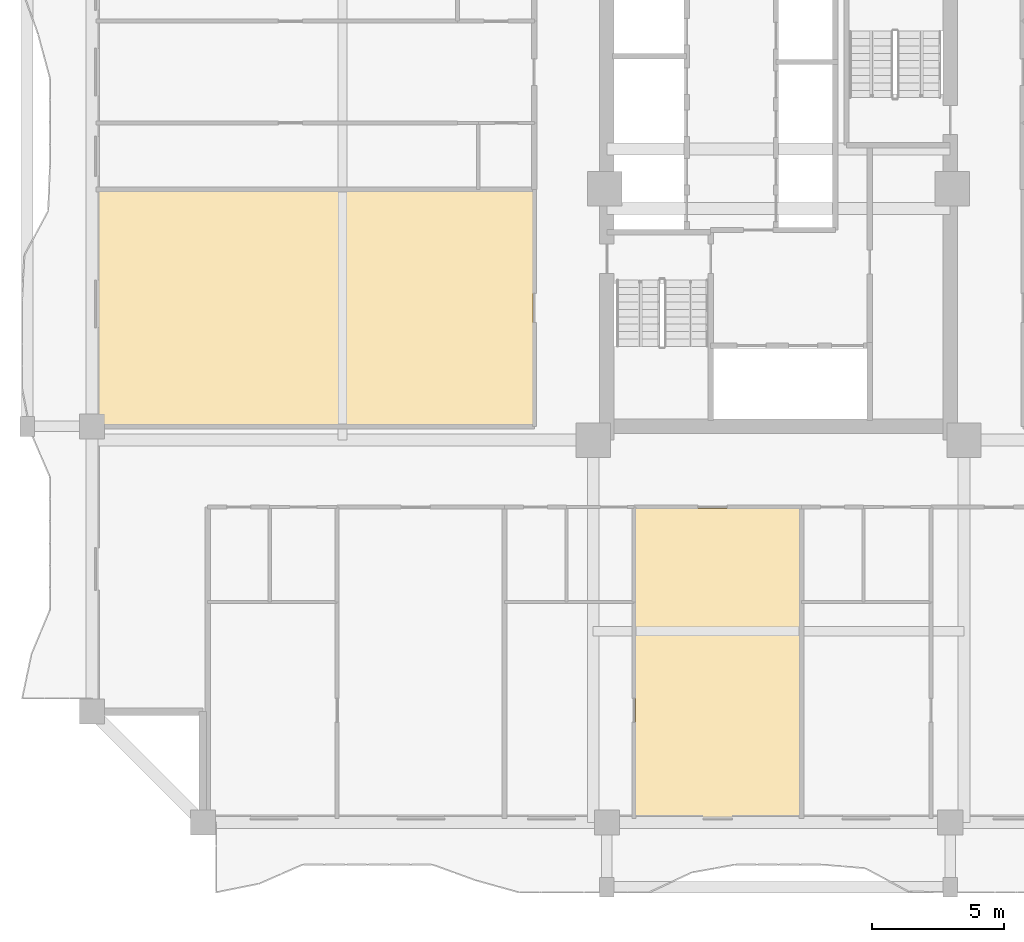
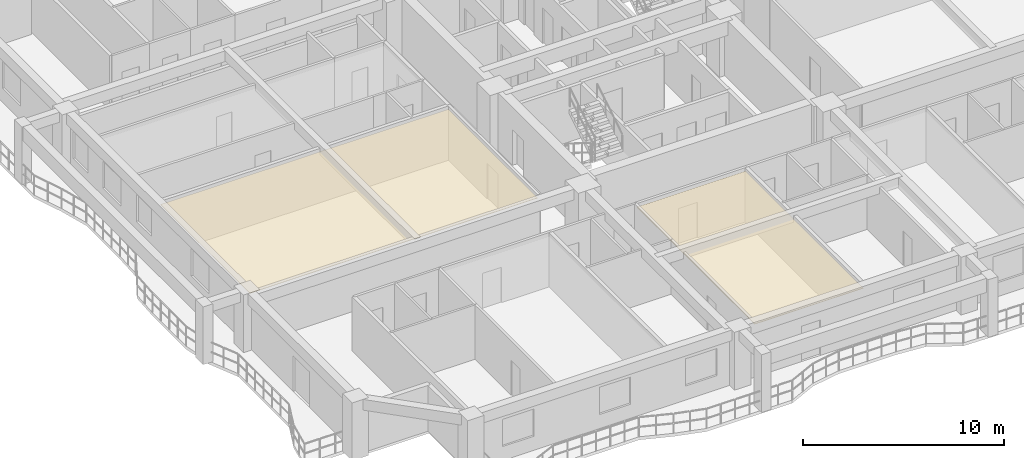
# One storey, part 11 of 17: 2 coverings.
"""IFC4 building model written with IfcOpenShell, lengths in metres."""

from ifc_helpers import new_model, si_unit, direction, frame, origin, place, context, subcontext, project, spatial, polyline, outline, extrude, material, layer, layer_set, type_object, element, save


model = new_model("IFC4")

# Units and contexts
model_context = context("Model", 3, precision=1e-05, world=origin(), true_north=direction((0.0, 1.0)))
body_context = subcontext(model_context, "Body", "Model", "MODEL_VIEW")
ifc_project = project(units=[si_unit("LENGTHUNIT", "METRE"), si_unit("AREAUNIT", "SQUARE_METRE"), si_unit("VOLUMEUNIT", "CUBIC_METRE"), si_unit("PLANEANGLEUNIT", "RADIAN"), si_unit("MASSUNIT", "GRAM", prefix="KILO")], contexts=[model_context])

# Site, building, storey
site_placement = place(None, origin())
site = spatial("IfcSite", under=ifc_project, at=site_placement, CompositionType="ELEMENT")
building_placement = place(site_placement, origin())
building = spatial("IfcBuilding", under=site, at=building_placement, Name="Saelheon Loggia Tower", CompositionType="ELEMENT")
storey_placement = place(building_placement, frame((0.0, 0.0, 74.35009765625)))
storey = spatial("IfcBuildingStorey", under=building, at=storey_placement, Name="L23", CompositionType="ELEMENT", Elevation=74.35009765625)

# Coverings
ifc_material = material(Name="Mineral-Fibre Acoustic Ceiling Board", Category="gypsum")
ifc_layer = layer(ifc_material, 0.02490234375)
ifc_layer_set = layer_set([ifc_layer], Name="Mineral-Fibre Acoustic Ceiling Board")
covering_type = type_object("IfcCoveringType", Name="Cov_Ceiling_Acoustic", PredefinedType="CEILING", material=ifc_layer_set)
covering_1_placement = place(storey_placement, frame((0.0, 0.0, 3.034912109375)))
element("IfcCovering", 1, at=covering_1_placement, inside=storey, type_object=covering_type, Name="L23 Acoustic Suspended Ceiling", PredefinedType="CEILING", context=body_context, shape_type="SweptSolid", body=[
    extrude(outline(polyline([(32.572509765625, 3.199951171875), (38.814697265625, 3.199951171875), (38.814697265625, 14.89990234375), (32.572509765625, 14.89990234375), (32.572509765625, 3.199951171875)])), origin(), (0.0, 0.0, 1.0), 0.02490234375),
])
covering_2_placement = place(storey_placement, frame((0.0, 0.0, 3.034912109375)))
element("IfcCovering", 2, at=covering_2_placement, inside=storey, type_object=covering_type, Name="L23 Acoustic Suspended Ceiling", PredefinedType="CEILING", context=body_context, shape_type="SweptSolid", body=[
    extrude(outline(polyline([(12.199951171875, 18.050048828125), (28.699951171875, 18.050048828125), (28.699951171875, 26.925048828125), (12.199951171875, 26.925048828125), (12.199951171875, 18.050048828125)])), origin(), (0.0, 0.0, 1.0), 0.02490234375),
])

save(model, "model.ifc")
